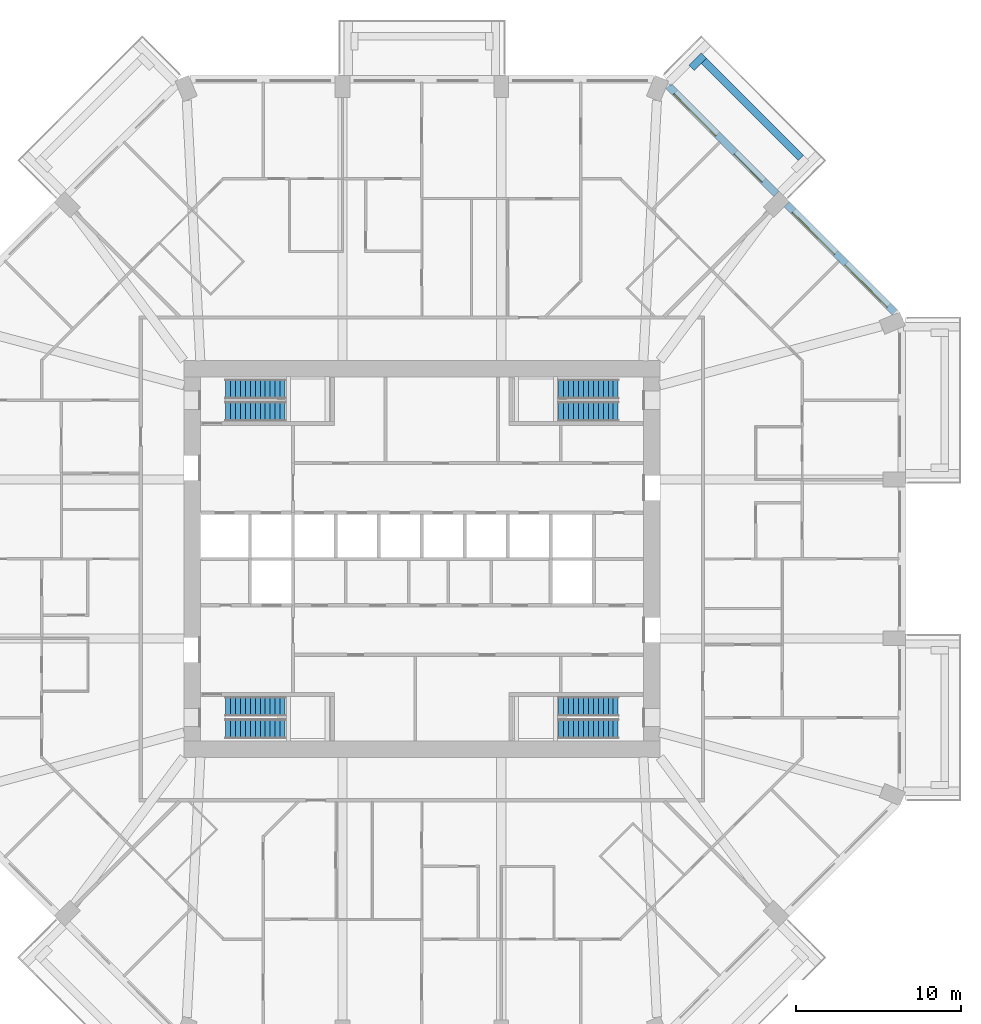
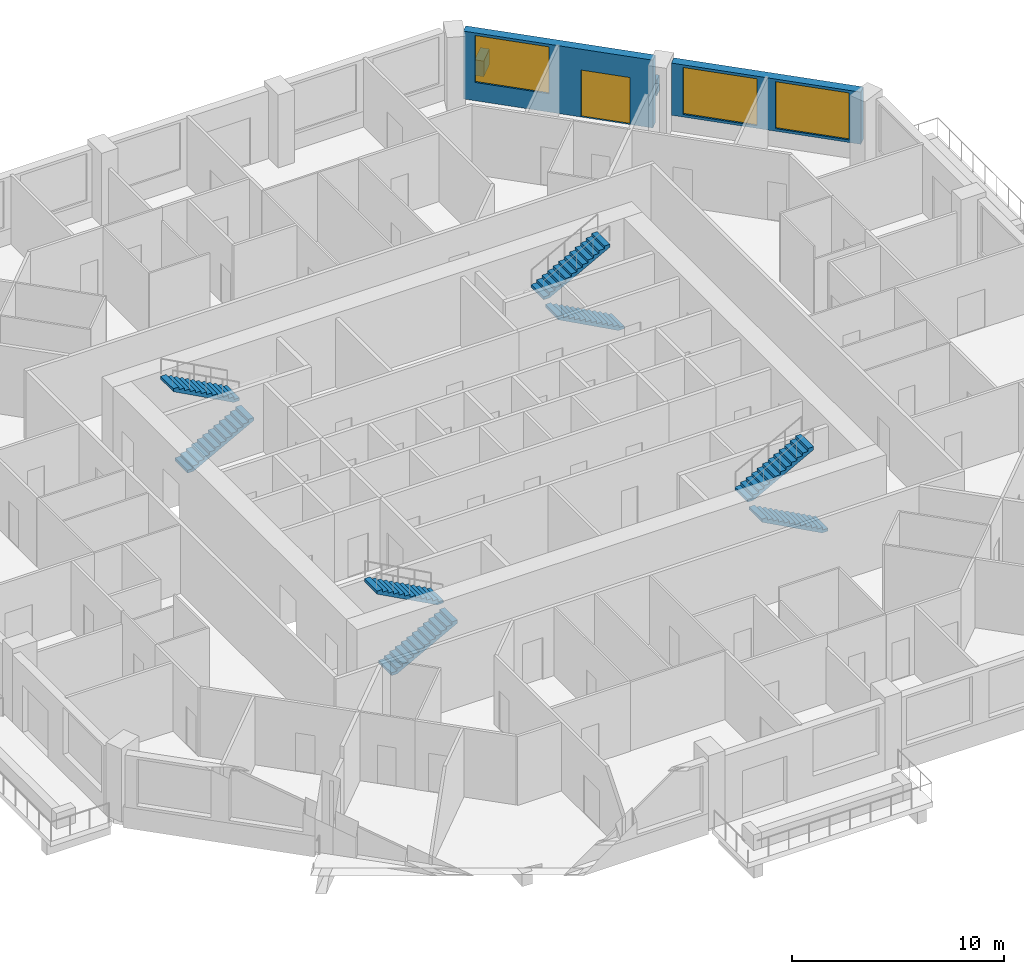
# One storey, part 11 of 13: 8 stair flights, 4 walls, 3 windows, 1 door, 4 openings, 4 elements without a shape of their own.
"""IFC4 building model written with IfcOpenShell, lengths in metres."""

from ifc_helpers import new_model, si_unit, direction, frame, frame_2d, origin, place, context, subcontext, project, spatial, polyline, rectangle, outline, extrude, material, layer, layer_set, type_object, element, fill, aggregate, save


model = new_model("IFC4")

# Units and contexts
model_context = context("Model", 3, precision=1e-05, world=origin(), true_north=direction((0.0, 1.0)))
body_context = subcontext(model_context, "Body", "Model", "MODEL_VIEW")
ifc_project = project(units=[si_unit("LENGTHUNIT", "METRE"), si_unit("AREAUNIT", "SQUARE_METRE"), si_unit("VOLUMEUNIT", "CUBIC_METRE"), si_unit("PLANEANGLEUNIT", "RADIAN"), si_unit("MASSUNIT", "GRAM", prefix="KILO")], contexts=[model_context])

# Site, building, storey
site_placement = place(None, origin())
site = spatial("IfcSite", under=ifc_project, at=site_placement, CompositionType="ELEMENT")
building_placement = place(site_placement, origin())
building = spatial("IfcBuilding", under=site, at=building_placement, Name="Msitu Wima Residences", CompositionType="ELEMENT")
storey_placement = place(building_placement, frame((0.0, 0.0, 33.89990234375)))
storey = spatial("IfcBuildingStorey", under=building, at=storey_placement, Name="L07", CompositionType="ELEMENT", Elevation=33.89990234375)

# Walls
ifc_material_1 = material(Name="Facing brick")
ifc_layer_1 = layer(ifc_material_1, 0.06494140625, Name="Facing brick")
ifc_material_2 = material(Name="Concrete C40/50", Category="concrete")
ifc_layer_2 = layer(ifc_material_2, 0.156005859375, Name="Concrete C40/50")
ifc_material_3 = material(Name="Waterproofing membrane")
ifc_layer_3 = layer(ifc_material_3, 0.00390625, Name="Waterproofing membrane")
ifc_material_4 = material(Name="Planting soil and planting")
ifc_layer_4 = layer(ifc_material_4, 0.22509765625, Name="Planting soil and planting")
ifc_layer_set_1 = layer_set([ifc_layer_1, ifc_layer_2, ifc_layer_3, ifc_layer_4], Name="Concrete C40/50")
wall_type_1 = type_object("IfcWallType", Name="Balcony planter PLANTER PL450", PredefinedType="USERDEFINED", material=ifc_layer_set_1)
wall_1_placement = place(storey_placement, frame((22.92578125, 24.269287109375, 0.0), z_axis=(0.0, 0.0, 1.0), x_axis=(-0.707106781187, 0.707106781187, 0.0)))
element("IfcWall", 1, at=wall_1_placement, inside=storey, type_object=wall_type_1, Name="Balcony planter NE1 L07", ObjectType="PLANTER", PredefinedType="USERDEFINED", context=body_context, shape_type="SweptSolid", body=[
    extrude(rectangle(XDim=8.2822265625, YDim=0.449951171875, at=frame_2d((4.14111328125, 0.0))), origin(), (0.0, 0.0, 1.0), 0.900146484375),
])
wall_2_placement = place(storey_placement, frame((16.326904296875, 29.70166015625, 0.0), z_axis=(0.0, 0.0, 1.0), x_axis=(0.707106781187, 0.707106781187, 0.0)))
element("IfcWall", 2, at=wall_2_placement, inside=storey, type_object=wall_type_1, Name="Balcony planter NE1 L07", ObjectType="PLANTER", PredefinedType="USERDEFINED", context=body_context, shape_type="SweptSolid", body=[
    extrude(rectangle(XDim=1.050048828125, YDim=0.449951171875, at=frame_2d((0.52490234375, 0.0))), origin(), (0.0, 0.0, 1.0), 0.900146484375),
])

# Wall, openings, windows
ifc_material_5 = material(Name="Brick (red buff mix)", Category="masonry")
ifc_layer_5 = layer(ifc_material_5, 0.449951171875)
ifc_layer_set_2 = layer_set([ifc_layer_5], Name="Brick (red buff mix)")
wall_type_2 = type_object("IfcWallType", Name="Brick infill wall BW450", PredefinedType="SOLIDWALL", material=ifc_layer_set_2)
wall_3_placement = place(storey_placement, frame((28.61474609375, 14.903564453125, 0.900146484375), z_axis=(0.0, 0.0, 1.0), x_axis=(-0.707106781187, 0.707106781187, 0.0)))
wall_3 = element("IfcWall", 3, at=wall_3_placement, inside=storey, type_object=wall_type_2, Name="Brick infill wall L07 NE0", PredefinedType="SOLIDWALL", context=body_context, shape_type="SweptSolid", body=[
    extrude(rectangle(XDim=9.2451171875, YDim=0.449951171875, at=frame_2d((4.62255859375, 0.0))), origin(), (0.0, 0.0, 1.0), 3.0),
])
opening_1_placement = place(wall_3_placement, frame((0.572509765625, 0.0, 0.14990234375)))
opening_1 = element("IfcOpeningElement", 4, at=opening_1_placement, cuts=wall_3, Name="Opening W05-07.010", PredefinedType="OPENING", context=body_context, shape_type="SweptSolid", body=[
    extrude(rectangle(XDim=3.60009765625, YDim=2.699951171875, at=frame_2d((1.800048828125, 1.35009765625))), frame((0.0, 0.23486328125, 0.0), z_axis=(0.0, -1.0, 0.0), x_axis=(1.0, 0.0, 0.0)), (0.0, 0.0, 1.0), 0.469970703125),
])
opening_2_placement = place(wall_3_placement, frame((5.072509765625, 0.0, 0.14990234375)))
opening_2 = element("IfcOpeningElement", 5, at=opening_2_placement, cuts=wall_3, Name="Opening W05-07.011", PredefinedType="OPENING", context=body_context, shape_type="SweptSolid", body=[
    extrude(rectangle(XDim=3.60009765625, YDim=2.699951171875, at=frame_2d((1.800048828125, 1.35009765625))), frame((0.0, 0.23486328125, 0.0), z_axis=(0.0, -1.0, 0.0), x_axis=(1.0, 0.0, 0.0)), (0.0, 0.0, 1.0), 0.469970703125),
])
ifc_material_6 = material(Name="Anodised aluminium, bronze finish, clear low-emissivity double glazing", Category="aluminium")
window_type = type_object("IfcWindowType", Name="Window W3600x2700", PartitioningType="DOUBLE_PANEL_VERTICAL", PredefinedType="WINDOW", material=ifc_material_6)
window_1_placement = place(opening_1_placement, origin())
window_1 = element("IfcWindow", 6, at=window_1_placement, inside=storey, type_object=window_type, Name="Window L07 NE0.1", OverallHeight=2.699951171875, OverallWidth=3.60009765625, PartitioningType="SINGLE_PANEL", PredefinedType="WINDOW", context=body_context, shape_type="SweptSolid", body=[
    extrude(rectangle(XDim=3.60009765625, YDim=2.699951171875, at=frame_2d((1.800048828125, 1.35009765625))), frame((0.0, 0.135009765625, 0.0), z_axis=(0.0, -1.0, 0.0), x_axis=(1.0, 0.0, 0.0)), (0.0, 0.0, 1.0), 0.06005859375),
])
fill(opening_1, window_1)
window_2_placement = place(opening_2_placement, origin())
window_2 = element("IfcWindow", 7, at=window_2_placement, inside=storey, type_object=window_type, Name="Window L07 NE0.2", OverallHeight=2.699951171875, OverallWidth=3.60009765625, PartitioningType="SINGLE_PANEL", PredefinedType="WINDOW", context=body_context, shape_type="SweptSolid", body=[
    extrude(rectangle(XDim=3.60009765625, YDim=2.699951171875, at=frame_2d((1.800048828125, 1.35009765625))), frame((0.0, 0.135009765625, 0.0), z_axis=(0.0, -1.0, 0.0), x_axis=(1.0, 0.0, 0.0)), (0.0, 0.0, 1.0), 0.06005859375),
])
fill(opening_2, window_2)

# Wall, openings, door, window
wall_4_placement = place(storey_placement, frame((21.44091796875, 22.077392578125, 0.0), z_axis=(0.0, 0.0, 1.0), x_axis=(-0.707106781187, 0.707106781187, 0.0)))
wall_4 = element("IfcWall", 8, at=wall_4_placement, inside=storey, type_object=wall_type_2, Name="Brick infill wall L07 NE1", PredefinedType="SOLIDWALL", context=body_context, shape_type="SweptSolid", body=[
    extrude(rectangle(XDim=9.2451171875, YDim=0.449951171875, at=frame_2d((4.62255859375, 0.0))), origin(), (0.0, 0.0, 1.0), 3.900146484375),
])
opening_3_placement = place(wall_4_placement, frame((1.111328125, 0.0, 0.0)))
opening_3 = element("IfcOpeningElement", 9, at=opening_3_placement, cuts=wall_4, Name="Opening D05-07.004", PredefinedType="OPENING", context=body_context, shape_type="SweptSolid", body=[
    extrude(rectangle(XDim=2.39990234375, YDim=2.699951171875, at=frame_2d((1.199951171875, 1.35009765625))), frame((0.0, 0.23486328125, 0.0), z_axis=(0.0, -1.0, 0.0), x_axis=(1.0, 0.0, 0.0)), (0.0, 0.0, 1.0), 0.469970703125),
])
opening_4_placement = place(wall_4_placement, frame((5.072509765625, 0.0, 1.050048828125)))
opening_4 = element("IfcOpeningElement", 10, at=opening_4_placement, cuts=wall_4, Name="Opening W05-07.012", PredefinedType="OPENING", context=body_context, shape_type="SweptSolid", body=[
    extrude(rectangle(XDim=3.60009765625, YDim=2.699951171875, at=frame_2d((1.800048828125, 1.35009765625))), frame((0.0, 0.23486328125, 0.0), z_axis=(0.0, -1.0, 0.0), x_axis=(1.0, 0.0, 0.0)), (0.0, 0.0, 1.0), 0.469970703125),
])
door_type = type_object("IfcDoorType", Name="Balcony door D2400x2700", OperationType="SLIDING_TO_LEFT", PredefinedType="DOOR", material=ifc_material_6)
door_placement = place(opening_3_placement, origin())
door = element("IfcDoor", 11, at=door_placement, inside=storey, type_object=door_type, Name="Balcony door L07 NE1", OperationType="SINGLE_SWING_LEFT", OverallHeight=2.699951171875, OverallWidth=2.39990234375, PredefinedType="DOOR", context=body_context, shape_type="SweptSolid", body=[
    extrude(rectangle(XDim=2.39990234375, YDim=2.699951171875, at=frame_2d((1.199951171875, 1.35009765625))), frame((0.0, 0.1298828125, 0.0), z_axis=(0.0, -1.0, 0.0), x_axis=(1.0, 0.0, 0.0)), (0.0, 0.0, 1.0), 0.050048828125),
])
fill(opening_3, door)
window_3_placement = place(opening_4_placement, origin())
window_3 = element("IfcWindow", 12, at=window_3_placement, inside=storey, type_object=window_type, Name="Window L07 NE1.2", OverallHeight=2.699951171875, OverallWidth=3.60009765625, PartitioningType="SINGLE_PANEL", PredefinedType="WINDOW", context=body_context, shape_type="SweptSolid", body=[
    extrude(rectangle(XDim=3.60009765625, YDim=2.699951171875, at=frame_2d((1.800048828125, 1.35009765625))), frame((0.0, 0.135009765625, 0.0), z_axis=(0.0, -1.0, 0.0), x_axis=(1.0, 0.0, 0.0)), (0.0, 0.0, 1.0), 0.06005859375),
])
fill(opening_4, window_3)

# Stair, stair flights
stair_type = type_object("IfcStairType", Name="Exit stair ES1615-120", PredefinedType="HALF_TURN_STAIR", material=ifc_material_2)
stair_1_placement = place(storey_placement, origin())
stair_1 = element("IfcStair", 13, at=stair_1_placement, inside=storey, type_object=stair_type, Name="Exit stair 1", PredefinedType="HALF_TURN_STAIR")
stair_flight_type = type_object("IfcStairFlightType", Name="Exit stair flight ES1615-120", PredefinedType="STRAIGHT", material=ifc_material_2)
stair_flight_1_placement = place(storey_placement, frame((-11.875, 8.925048828125, 0.0), z_axis=(0.0, 0.0, 1.0), x_axis=(1.0, 0.0, 0.0)))
stair_flight_1 = element("IfcStairFlight", 14, at=stair_flight_1_placement, type_object=stair_flight_type, Name="S1 flight 1", NumberOfRisers=13, NumberOfTreads=12, PredefinedType="STRAIGHT", RiserHeight=0.161538462, TreadLength=0.3, context=body_context, shape_type="SweptSolid", body=[
    extrude(outline(polyline([(0.0, 0.0), (0.0, 0.16162109375), (0.300048828125, 0.16162109375), (0.300048828125, 0.322998046875), (0.60009765625, 0.322998046875), (0.60009765625, 0.484619140625), (0.89990234375, 0.484619140625), (0.89990234375, 0.646240234375), (1.199951171875, 0.646240234375), (1.199951171875, 0.8076171875), (1.5, 0.8076171875), (1.5, 0.96923828125), (1.800048828125, 0.96923828125), (1.800048828125, 1.130859375), (2.10009765625, 1.130859375), (2.10009765625, 1.292236328125), (2.39990234375, 1.292236328125), (2.39990234375, 1.453857421875), (2.699951171875, 1.453857421875), (2.699951171875, 1.615478515625), (3.0, 1.615478515625), (3.0, 1.77685546875), (3.300048828125, 1.77685546875), (3.300048828125, 1.9384765625), (3.60009765625, 1.9384765625), (3.60009765625, 2.10009765625), (3.60009765625, 1.768310546875), (0.316162109375, 0.0), (0.0, 0.0)])), frame((0.0, 0.60009765625, 0.0), z_axis=(0.0, -1.0, 0.0), x_axis=(1.0, 0.0, 0.0)), (0.0, 0.0, 1.0), 1.199951171875),
])
stair_flight_2_placement = place(storey_placement, frame((-8.27490234375, 10.27490234375, 2.10009765625), z_axis=(0.0, 0.0, 1.0), x_axis=(-1.0, 0.0, 0.0)))
stair_flight_2 = element("IfcStairFlight", 15, at=stair_flight_2_placement, type_object=stair_flight_type, Name="S1 flight 2", NumberOfRisers=13, NumberOfTreads=12, PredefinedType="STRAIGHT", RiserHeight=0.161538462, TreadLength=0.3, context=body_context, shape_type="SweptSolid", body=[
    extrude(outline(polyline([(0.0, 0.0), (0.0, 0.16162109375), (0.300048828125, 0.16162109375), (0.300048828125, 0.322998046875), (0.60009765625, 0.322998046875), (0.60009765625, 0.484619140625), (0.89990234375, 0.484619140625), (0.89990234375, 0.646240234375), (1.199951171875, 0.646240234375), (1.199951171875, 0.8076171875), (1.5, 0.8076171875), (1.5, 0.96923828125), (1.800048828125, 0.96923828125), (1.800048828125, 1.130859375), (2.10009765625, 1.130859375), (2.10009765625, 1.292236328125), (2.39990234375, 1.292236328125), (2.39990234375, 1.453857421875), (2.699951171875, 1.453857421875), (2.699951171875, 1.615478515625), (3.0, 1.615478515625), (3.0, 1.77685546875), (3.300048828125, 1.77685546875), (3.300048828125, 1.9384765625), (3.60009765625, 1.9384765625), (3.60009765625, 2.10009765625), (3.60009765625, 1.768310546875), (0.316162109375, 0.0), (0.0, 0.0)])), frame((0.0, 0.60009765625, 0.0), z_axis=(0.0, -1.0, 0.0), x_axis=(1.0, 0.0, 0.0)), (0.0, 0.0, 1.0), 1.199951171875),
])
aggregate(stair_1, [stair_flight_1, stair_flight_2])

stair_2_placement = place(storey_placement, origin())
stair_2 = element("IfcStair", 16, at=stair_2_placement, inside=storey, type_object=stair_type, Name="Exit stair 2", PredefinedType="HALF_TURN_STAIR")
stair_flight_3_placement = place(storey_placement, frame((-11.875, -10.27490234375, 0.0), z_axis=(0.0, 0.0, 1.0), x_axis=(1.0, 0.0, 0.0)))
stair_flight_3 = element("IfcStairFlight", 17, at=stair_flight_3_placement, type_object=stair_flight_type, Name="S2 flight 1", NumberOfRisers=13, NumberOfTreads=12, PredefinedType="STRAIGHT", RiserHeight=0.161538462, TreadLength=0.3, context=body_context, shape_type="SweptSolid", body=[
    extrude(outline(polyline([(0.0, 0.0), (0.0, 0.16162109375), (0.300048828125, 0.16162109375), (0.300048828125, 0.322998046875), (0.60009765625, 0.322998046875), (0.60009765625, 0.484619140625), (0.89990234375, 0.484619140625), (0.89990234375, 0.646240234375), (1.199951171875, 0.646240234375), (1.199951171875, 0.8076171875), (1.5, 0.8076171875), (1.5, 0.96923828125), (1.800048828125, 0.96923828125), (1.800048828125, 1.130859375), (2.10009765625, 1.130859375), (2.10009765625, 1.292236328125), (2.39990234375, 1.292236328125), (2.39990234375, 1.453857421875), (2.699951171875, 1.453857421875), (2.699951171875, 1.615478515625), (3.0, 1.615478515625), (3.0, 1.77685546875), (3.300048828125, 1.77685546875), (3.300048828125, 1.9384765625), (3.60009765625, 1.9384765625), (3.60009765625, 2.10009765625), (3.60009765625, 1.768310546875), (0.316162109375, 0.0), (0.0, 0.0)])), frame((0.0, 0.60009765625, 0.0), z_axis=(0.0, -1.0, 0.0), x_axis=(1.0, 0.0, 0.0)), (0.0, 0.0, 1.0), 1.199951171875),
])
stair_flight_4_placement = place(storey_placement, frame((-8.27490234375, -8.925048828125, 2.10009765625), z_axis=(0.0, 0.0, 1.0), x_axis=(-1.0, 0.0, 0.0)))
stair_flight_4 = element("IfcStairFlight", 18, at=stair_flight_4_placement, type_object=stair_flight_type, Name="S2 flight 2", NumberOfRisers=13, NumberOfTreads=12, PredefinedType="STRAIGHT", RiserHeight=0.161538462, TreadLength=0.3, context=body_context, shape_type="SweptSolid", body=[
    extrude(outline(polyline([(0.0, 0.0), (0.0, 0.16162109375), (0.300048828125, 0.16162109375), (0.300048828125, 0.322998046875), (0.60009765625, 0.322998046875), (0.60009765625, 0.484619140625), (0.89990234375, 0.484619140625), (0.89990234375, 0.646240234375), (1.199951171875, 0.646240234375), (1.199951171875, 0.8076171875), (1.5, 0.8076171875), (1.5, 0.96923828125), (1.800048828125, 0.96923828125), (1.800048828125, 1.130859375), (2.10009765625, 1.130859375), (2.10009765625, 1.292236328125), (2.39990234375, 1.292236328125), (2.39990234375, 1.453857421875), (2.699951171875, 1.453857421875), (2.699951171875, 1.615478515625), (3.0, 1.615478515625), (3.0, 1.77685546875), (3.300048828125, 1.77685546875), (3.300048828125, 1.9384765625), (3.60009765625, 1.9384765625), (3.60009765625, 2.10009765625), (3.60009765625, 1.768310546875), (0.316162109375, 0.0), (0.0, 0.0)])), frame((0.0, 0.60009765625, 0.0), z_axis=(0.0, -1.0, 0.0), x_axis=(1.0, 0.0, 0.0)), (0.0, 0.0, 1.0), 1.199951171875),
])
aggregate(stair_2, [stair_flight_3, stair_flight_4])

stair_3_placement = place(storey_placement, origin())
stair_3 = element("IfcStair", 19, at=stair_3_placement, inside=storey, type_object=stair_type, Name="Exit stair 3", PredefinedType="HALF_TURN_STAIR")
stair_flight_5_placement = place(storey_placement, frame((11.875, 8.925048828125, 0.0), z_axis=(0.0, 0.0, 1.0), x_axis=(-1.0, 0.0, 0.0)))
stair_flight_5 = element("IfcStairFlight", 20, at=stair_flight_5_placement, type_object=stair_flight_type, Name="S3 flight 1", NumberOfRisers=13, NumberOfTreads=12, PredefinedType="STRAIGHT", RiserHeight=0.161538462, TreadLength=0.3, context=body_context, shape_type="SweptSolid", body=[
    extrude(outline(polyline([(0.0, 0.0), (0.0, 0.16162109375), (0.300048828125, 0.16162109375), (0.300048828125, 0.322998046875), (0.60009765625, 0.322998046875), (0.60009765625, 0.484619140625), (0.89990234375, 0.484619140625), (0.89990234375, 0.646240234375), (1.199951171875, 0.646240234375), (1.199951171875, 0.8076171875), (1.5, 0.8076171875), (1.5, 0.96923828125), (1.800048828125, 0.96923828125), (1.800048828125, 1.130859375), (2.10009765625, 1.130859375), (2.10009765625, 1.292236328125), (2.39990234375, 1.292236328125), (2.39990234375, 1.453857421875), (2.699951171875, 1.453857421875), (2.699951171875, 1.615478515625), (3.0, 1.615478515625), (3.0, 1.77685546875), (3.300048828125, 1.77685546875), (3.300048828125, 1.9384765625), (3.60009765625, 1.9384765625), (3.60009765625, 2.10009765625), (3.60009765625, 1.768310546875), (0.316162109375, 0.0), (0.0, 0.0)])), frame((0.0, 0.60009765625, 0.0), z_axis=(0.0, -1.0, 0.0), x_axis=(1.0, 0.0, 0.0)), (0.0, 0.0, 1.0), 1.199951171875),
])
stair_flight_6_placement = place(storey_placement, frame((8.27490234375, 10.27490234375, 2.10009765625), z_axis=(0.0, 0.0, 1.0), x_axis=(1.0, 0.0, 0.0)))
stair_flight_6 = element("IfcStairFlight", 21, at=stair_flight_6_placement, type_object=stair_flight_type, Name="S3 flight 2", NumberOfRisers=13, NumberOfTreads=12, PredefinedType="STRAIGHT", RiserHeight=0.161538462, TreadLength=0.3, context=body_context, shape_type="SweptSolid", body=[
    extrude(outline(polyline([(0.0, 0.0), (0.0, 0.16162109375), (0.300048828125, 0.16162109375), (0.300048828125, 0.322998046875), (0.60009765625, 0.322998046875), (0.60009765625, 0.484619140625), (0.89990234375, 0.484619140625), (0.89990234375, 0.646240234375), (1.199951171875, 0.646240234375), (1.199951171875, 0.8076171875), (1.5, 0.8076171875), (1.5, 0.96923828125), (1.800048828125, 0.96923828125), (1.800048828125, 1.130859375), (2.10009765625, 1.130859375), (2.10009765625, 1.292236328125), (2.39990234375, 1.292236328125), (2.39990234375, 1.453857421875), (2.699951171875, 1.453857421875), (2.699951171875, 1.615478515625), (3.0, 1.615478515625), (3.0, 1.77685546875), (3.300048828125, 1.77685546875), (3.300048828125, 1.9384765625), (3.60009765625, 1.9384765625), (3.60009765625, 2.10009765625), (3.60009765625, 1.768310546875), (0.316162109375, 0.0), (0.0, 0.0)])), frame((0.0, 0.60009765625, 0.0), z_axis=(0.0, -1.0, 0.0), x_axis=(1.0, 0.0, 0.0)), (0.0, 0.0, 1.0), 1.199951171875),
])
aggregate(stair_3, [stair_flight_5, stair_flight_6])

stair_4_placement = place(storey_placement, origin())
stair_4 = element("IfcStair", 22, at=stair_4_placement, inside=storey, type_object=stair_type, Name="Exit stair 4", PredefinedType="HALF_TURN_STAIR")
stair_flight_7_placement = place(storey_placement, frame((11.875, -10.27490234375, 0.0), z_axis=(0.0, 0.0, 1.0), x_axis=(-1.0, 0.0, 0.0)))
stair_flight_7 = element("IfcStairFlight", 23, at=stair_flight_7_placement, type_object=stair_flight_type, Name="S4 flight 1", NumberOfRisers=13, NumberOfTreads=12, PredefinedType="STRAIGHT", RiserHeight=0.161538462, TreadLength=0.3, context=body_context, shape_type="SweptSolid", body=[
    extrude(outline(polyline([(0.0, 0.0), (0.0, 0.16162109375), (0.300048828125, 0.16162109375), (0.300048828125, 0.322998046875), (0.60009765625, 0.322998046875), (0.60009765625, 0.484619140625), (0.89990234375, 0.484619140625), (0.89990234375, 0.646240234375), (1.199951171875, 0.646240234375), (1.199951171875, 0.8076171875), (1.5, 0.8076171875), (1.5, 0.96923828125), (1.800048828125, 0.96923828125), (1.800048828125, 1.130859375), (2.10009765625, 1.130859375), (2.10009765625, 1.292236328125), (2.39990234375, 1.292236328125), (2.39990234375, 1.453857421875), (2.699951171875, 1.453857421875), (2.699951171875, 1.615478515625), (3.0, 1.615478515625), (3.0, 1.77685546875), (3.300048828125, 1.77685546875), (3.300048828125, 1.9384765625), (3.60009765625, 1.9384765625), (3.60009765625, 2.10009765625), (3.60009765625, 1.768310546875), (0.316162109375, 0.0), (0.0, 0.0)])), frame((0.0, 0.60009765625, 0.0), z_axis=(0.0, -1.0, 0.0), x_axis=(1.0, 0.0, 0.0)), (0.0, 0.0, 1.0), 1.199951171875),
])
stair_flight_8_placement = place(storey_placement, frame((8.27490234375, -8.925048828125, 2.10009765625), z_axis=(0.0, 0.0, 1.0), x_axis=(1.0, 0.0, 0.0)))
stair_flight_8 = element("IfcStairFlight", 24, at=stair_flight_8_placement, type_object=stair_flight_type, Name="S4 flight 2", NumberOfRisers=13, NumberOfTreads=12, PredefinedType="STRAIGHT", RiserHeight=0.161538462, TreadLength=0.3, context=body_context, shape_type="SweptSolid", body=[
    extrude(outline(polyline([(0.0, 0.0), (0.0, 0.16162109375), (0.300048828125, 0.16162109375), (0.300048828125, 0.322998046875), (0.60009765625, 0.322998046875), (0.60009765625, 0.484619140625), (0.89990234375, 0.484619140625), (0.89990234375, 0.646240234375), (1.199951171875, 0.646240234375), (1.199951171875, 0.8076171875), (1.5, 0.8076171875), (1.5, 0.96923828125), (1.800048828125, 0.96923828125), (1.800048828125, 1.130859375), (2.10009765625, 1.130859375), (2.10009765625, 1.292236328125), (2.39990234375, 1.292236328125), (2.39990234375, 1.453857421875), (2.699951171875, 1.453857421875), (2.699951171875, 1.615478515625), (3.0, 1.615478515625), (3.0, 1.77685546875), (3.300048828125, 1.77685546875), (3.300048828125, 1.9384765625), (3.60009765625, 1.9384765625), (3.60009765625, 2.10009765625), (3.60009765625, 1.768310546875), (0.316162109375, 0.0), (0.0, 0.0)])), frame((0.0, 0.60009765625, 0.0), z_axis=(0.0, -1.0, 0.0), x_axis=(1.0, 0.0, 0.0)), (0.0, 0.0, 1.0), 1.199951171875),
])
aggregate(stair_4, [stair_flight_7, stair_flight_8])

save(model, "model.ifc")
